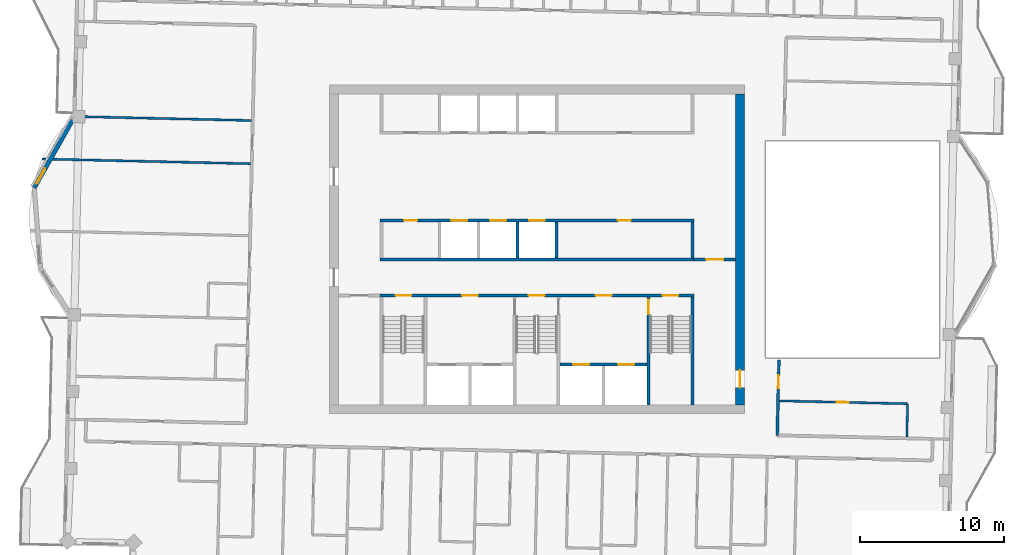
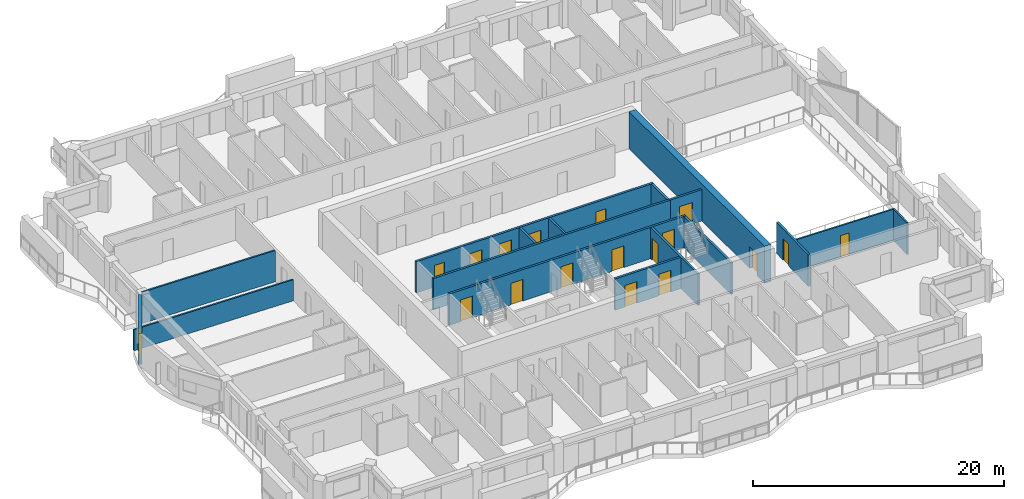
# One storey, part 7 of 15: 17 doors, 17 walls, 1 window, 18 openings.
"""IFC4 building model written with IfcOpenShell, lengths in metres."""

from ifc_helpers import new_model, si_unit, direction, frame, frame_2d, origin, place, context, subcontext, project, spatial, rectangle, extrude, material, layer, layer_set, type_object, element, fill, save


model = new_model("IFC4")

# Units and contexts
model_context = context("Model", 3, precision=1e-05, world=origin(), true_north=direction((0.0, 1.0)))
body_context = subcontext(model_context, "Body", "Model", "MODEL_VIEW")
ifc_project = project(units=[si_unit("LENGTHUNIT", "METRE"), si_unit("AREAUNIT", "SQUARE_METRE"), si_unit("VOLUMEUNIT", "CUBIC_METRE"), si_unit("PLANEANGLEUNIT", "RADIAN"), si_unit("MASSUNIT", "GRAM", prefix="KILO")], contexts=[model_context])

# Site, building, storey
site_placement = place(None, origin())
site = spatial("IfcSite", under=ifc_project, at=site_placement, CompositionType="ELEMENT")
building_placement = place(site_placement, origin())
building = spatial("IfcBuilding", under=site, at=building_placement, Name="Mangrove Gate Tower", CompositionType="ELEMENT")
storey_placement = place(building_placement, frame((0.0, 0.0, 316.89990234375)))
storey = spatial("IfcBuildingStorey", under=building, at=storey_placement, Name="L81", CompositionType="ELEMENT", Elevation=316.89990234375)

# Wall, opening, door
ifc_material_1 = material(Name="Concrete C32/40", Category="concrete")
ifc_layer_1 = layer(ifc_material_1, 0.199951171875)
ifc_layer_set_1 = layer_set([ifc_layer_1], Name="Core lobby wall 200 C32/40")
wall_type_1 = type_object("IfcWallType", Name="Core lobby wall 200 C32/40", PredefinedType="STANDARD", material=ifc_layer_set_1)
wall_1_placement = place(storey_placement, frame((10.89990234375, -0.699951171875, 0.0), z_axis=(0.0, 0.0, 1.0), x_axis=(1.0, 0.0, 0.0)))
wall_1 = element("IfcWall", 1, at=wall_1_placement, inside=storey, type_object=wall_type_1, Name="WALL-L81-CORE-32", PredefinedType="STANDARD", context=body_context, shape_type="SweptSolid", body=[
    extrude(rectangle(XDim=2.900146484375, YDim=0.199951171875, at=frame_2d((1.4501953125, 0.0))), origin(), (0.0, 0.0, 1.0), 3.050048828125),
])
opening_1_placement = place(wall_1_placement, frame((0.85009765625, 0.0, 0.0)))
opening_1 = element("IfcOpeningElement", 2, at=opening_1_placement, cuts=wall_1, Name="Opening FL12", PredefinedType="OPENING", context=body_context, shape_type="SweptSolid", body=[
    extrude(rectangle(XDim=1.199951171875, YDim=2.10009765625, at=frame_2d((0.60009765625, 1.050048828125))), frame((0.0, 0.10986328125, 0.0), z_axis=(0.0, -1.0, 0.0), x_axis=(1.0, 0.0, 0.0)), (0.0, 0.0, 1.0), 0.219970703125),
])
ifc_material_2 = material(Name="Fire-rated steel door set", Category="steel")
door_type_1 = type_object("IfcDoorType", Name="Lobby door FD60 1200x2100", OperationType="SINGLE_SWING_LEFT", PredefinedType="DOOR", material=ifc_material_2)
door_1_placement = place(opening_1_placement, origin())
door_1 = element("IfcDoor", 3, at=door_1_placement, inside=storey, type_object=door_type_1, Name="Lobby door core corridor E partition", OperationType="SINGLE_SWING_LEFT", OverallHeight=2.10009765625, OverallWidth=1.199951171875, PredefinedType="DOOR", context=body_context, shape_type="SweptSolid", body=[
    extrude(rectangle(XDim=1.199951171875, YDim=2.10009765625, at=frame_2d((0.60009765625, 1.050048828125))), frame((0.0, 0.02490234375, 0.0), z_axis=(0.0, -1.0, 0.0), x_axis=(1.0, 0.0, 0.0)), (0.0, 0.0, 1.0), 0.050048828125),
])
fill(opening_1, door_1)

# Walls
ifc_material_3 = material(Name="Concrete C32/40", Category="concrete")
ifc_layer_2 = layer(ifc_material_3, 0.199951171875)
ifc_layer_set_2 = layer_set([ifc_layer_2], Name="Core room wall 200 C32/40")
wall_type_2 = type_object("IfcWallType", Name="Core room wall 200 C32/40", PredefinedType="STANDARD", material=ifc_layer_set_2)
wall_2_placement = place(storey_placement, frame((10.800048828125, -0.60009765625, 0.0), z_axis=(0.0, 0.0, 1.0), x_axis=(0.0, 1.0, 0.0)))
element("IfcWall", 4, at=wall_2_placement, inside=storey, type_object=wall_type_2, Name="WALL-L81-CORE-24", PredefinedType="STANDARD", context=body_context, shape_type="SweptSolid", body=[
    extrude(rectangle(XDim=2.5, YDim=0.199951171875, at=frame_2d((1.25, 0.0))), origin(), (0.0, 0.0, 1.0), 3.050048828125),
])
ifc_material_4 = material(Name="Concrete C50/60", Category="concrete")
ifc_layer_3 = layer(ifc_material_4, 0.199951171875)
ifc_layer_set_3 = layer_set([ifc_layer_3], Name="Core shaft wall 200 C50/60")
wall_type_3 = type_object("IfcWallType", Name="Core shaft wall 200 C50/60", PredefinedType="SHEAR", material=ifc_layer_set_3)
wall_3_placement = place(storey_placement, frame((-10.89990234375, -0.699951171875, 0.0), z_axis=(0.0, 0.0, 1.0), x_axis=(1.0, 0.0, 0.0)))
element("IfcWall", 5, at=wall_3_placement, inside=storey, type_object=wall_type_3, Name="WALL-L81-CORE-6", PredefinedType="SHEAR", context=body_context, shape_type="SweptSolid", body=[
    extrude(rectangle(XDim=21.7998046875, YDim=0.199951171875, at=frame_2d((10.89990234375, 0.0))), origin(), (0.0, 0.0, 1.0), 3.050048828125),
])

# Wall, openings, doors
wall_4_placement = place(storey_placement, frame((-10.89990234375, 2.0, 0.0), z_axis=(0.0, 0.0, 1.0), x_axis=(1.0, 0.0, 0.0)))
wall_4 = element("IfcWall", 6, at=wall_4_placement, inside=storey, type_object=wall_type_3, Name="WALL-L81-CORE-7", PredefinedType="SHEAR", context=body_context, shape_type="SweptSolid", body=[
    extrude(rectangle(XDim=21.7998046875, YDim=0.199951171875, at=frame_2d((10.89990234375, 0.0))), origin(), (0.0, 0.0, 1.0), 3.050048828125),
])
opening_2_placement = place(wall_4_placement, frame((4.949951171875, 0.0, 0.0)))
opening_2 = element("IfcOpeningElement", 7, at=opening_2_placement, cuts=wall_4, Name="Opening LD", PredefinedType="OPENING", context=body_context, shape_type="SweptSolid", body=[
    extrude(rectangle(XDim=1.10009765625, YDim=2.10009765625, at=frame_2d((0.550048828125, 1.050048828125))), frame((0.0, 0.10986328125, 0.0), z_axis=(0.0, -1.0, 0.0), x_axis=(1.0, 0.0, 0.0)), (0.0, 0.0, 1.0), 0.219970703125),
])
opening_3_placement = place(wall_4_placement, frame((7.64990234375, 0.0, 0.0)))
opening_3 = element("IfcOpeningElement", 8, at=opening_3_placement, cuts=wall_4, Name="Opening LD", PredefinedType="OPENING", context=body_context, shape_type="SweptSolid", body=[
    extrude(rectangle(XDim=1.10009765625, YDim=2.10009765625, at=frame_2d((0.550048828125, 1.050048828125))), frame((0.0, 0.10986328125, 0.0), z_axis=(0.0, -1.0, 0.0), x_axis=(1.0, 0.0, 0.0)), (0.0, 0.0, 1.0), 0.219970703125),
])
opening_4_placement = place(wall_4_placement, frame((10.35009765625, 0.0, 0.0)))
opening_4 = element("IfcOpeningElement", 9, at=opening_4_placement, cuts=wall_4, Name="Opening LD", PredefinedType="OPENING", context=body_context, shape_type="SweptSolid", body=[
    extrude(rectangle(XDim=1.10009765625, YDim=2.10009765625, at=frame_2d((0.550048828125, 1.050048828125))), frame((0.0, 0.10986328125, 0.0), z_axis=(0.0, -1.0, 0.0), x_axis=(1.0, 0.0, 0.0)), (0.0, 0.0, 1.0), 0.219970703125),
])
opening_5_placement = place(wall_4_placement, frame((1.675048828125, 0.0, 0.0)))
opening_5 = element("IfcOpeningElement", 10, at=opening_5_placement, cuts=wall_4, Name="Opening KD", PredefinedType="OPENING", context=body_context, shape_type="SweptSolid", body=[
    extrude(rectangle(XDim=0.89990234375, YDim=2.10009765625, at=frame_2d((0.449951171875, 1.050048828125))), frame((0.0, 0.10986328125, 0.0), z_axis=(0.0, -1.0, 0.0), x_axis=(1.0, 0.0, 0.0)), (0.0, 0.0, 1.0), 0.219970703125),
])
opening_6_placement = place(wall_4_placement, frame((16.52490234375, 0.0, 0.0)))
opening_6 = element("IfcOpeningElement", 11, at=opening_6_placement, cuts=wall_4, Name="Opening RD", PredefinedType="OPENING", context=body_context, shape_type="SweptSolid", body=[
    extrude(rectangle(XDim=0.89990234375, YDim=2.10009765625, at=frame_2d((0.449951171875, 1.050048828125))), frame((0.0, 0.10986328125, 0.0), z_axis=(0.0, -1.0, 0.0), x_axis=(1.0, 0.0, 0.0)), (0.0, 0.0, 1.0), 0.219970703125),
])
ifc_material_5 = material(Name="Fire-rated steel door set", Category="steel")
door_type_2 = type_object("IfcDoorType", Name="Core room door FD30S 900x2100", OperationType="SINGLE_SWING_RIGHT", PredefinedType="DOOR", material=ifc_material_5)
door_2_placement = place(opening_5_placement, origin())
door_2 = element("IfcDoor", 12, at=door_2_placement, inside=storey, type_object=door_type_2, Name="Core room door Linen store", OperationType="SINGLE_SWING_RIGHT", OverallHeight=2.10009765625, OverallWidth=0.89990234375, PredefinedType="DOOR", context=body_context, shape_type="SweptSolid", body=[
    extrude(rectangle(XDim=0.89990234375, YDim=2.10009765625, at=frame_2d((0.449951171875, 1.050048828125))), frame((0.0, 0.02490234375, 0.0), z_axis=(0.0, -1.0, 0.0), x_axis=(1.0, 0.0, 0.0)), (0.0, 0.0, 1.0), 0.050048828125),
])
fill(opening_5, door_2)
ifc_material_6 = material(Name="Stainless steel 316", Category="steel")
door_type_3 = type_object("IfcDoorType", Name="Lift landing door 1100x2100", OperationType="SLIDING_TO_LEFT", PredefinedType="DOOR", material=ifc_material_6)
door_3_placement = place(opening_2_placement, origin())
door_3 = element("IfcDoor", 13, at=door_3_placement, inside=storey, type_object=door_type_3, Name="Landing door LD H01", OperationType="SLIDING_TO_LEFT", OverallHeight=2.10009765625, OverallWidth=1.10009765625, PredefinedType="DOOR", context=body_context, shape_type="SweptSolid", body=[
    extrude(rectangle(XDim=1.10009765625, YDim=2.10009765625, at=frame_2d((0.550048828125, 1.050048828125))), frame((0.0, 0.02490234375, 0.0), z_axis=(0.0, -1.0, 0.0), x_axis=(1.0, 0.0, 0.0)), (0.0, 0.0, 1.0), 0.050048828125),
])
fill(opening_2, door_3)
door_4_placement = place(opening_3_placement, origin())
door_4 = element("IfcDoor", 14, at=door_4_placement, inside=storey, type_object=door_type_3, Name="Landing door LD H02", OperationType="SLIDING_TO_LEFT", OverallHeight=2.10009765625, OverallWidth=1.10009765625, PredefinedType="DOOR", context=body_context, shape_type="SweptSolid", body=[
    extrude(rectangle(XDim=1.10009765625, YDim=2.10009765625, at=frame_2d((0.550048828125, 1.050048828125))), frame((0.0, 0.02490234375, 0.0), z_axis=(0.0, -1.0, 0.0), x_axis=(1.0, 0.0, 0.0)), (0.0, 0.0, 1.0), 0.050048828125),
])
fill(opening_3, door_4)
door_5_placement = place(opening_4_placement, origin())
door_5 = element("IfcDoor", 15, at=door_5_placement, inside=storey, type_object=door_type_3, Name="Landing door LD H03", OperationType="SLIDING_TO_LEFT", OverallHeight=2.10009765625, OverallWidth=1.10009765625, PredefinedType="DOOR", context=body_context, shape_type="SweptSolid", body=[
    extrude(rectangle(XDim=1.10009765625, YDim=2.10009765625, at=frame_2d((0.550048828125, 1.050048828125))), frame((0.0, 0.02490234375, 0.0), z_axis=(0.0, -1.0, 0.0), x_axis=(1.0, 0.0, 0.0)), (0.0, 0.0, 1.0), 0.050048828125),
])
fill(opening_4, door_5)
ifc_material_7 = material(Name="Fire-rated steel door set", Category="steel")
door_type_4 = type_object("IfcDoorType", Name="Riser door FD30S 900x2100", OperationType="SINGLE_SWING_LEFT", PredefinedType="DOOR", material=ifc_material_7)
door_6_placement = place(opening_6_placement, origin())
door_6 = element("IfcDoor", 16, at=door_6_placement, inside=storey, type_object=door_type_4, Name="Riser door Switch room", OperationType="SINGLE_SWING_LEFT", OverallHeight=2.10009765625, OverallWidth=0.89990234375, PredefinedType="DOOR", context=body_context, shape_type="SweptSolid", body=[
    extrude(rectangle(XDim=0.89990234375, YDim=2.10009765625, at=frame_2d((0.449951171875, 1.050048828125))), frame((0.0, 0.02490234375, 0.0), z_axis=(0.0, -1.0, 0.0), x_axis=(1.0, 0.0, 0.0)), (0.0, 0.0, 1.0), 0.050048828125),
])
fill(opening_6, door_6)

wall_5_placement = place(storey_placement, frame((1.60009765625, -8.0, 0.0), z_axis=(0.0, 0.0, 1.0), x_axis=(1.0, 0.0, 0.0)))
wall_5 = element("IfcWall", 17, at=wall_5_placement, inside=storey, type_object=wall_type_3, Name="WALL-L81-CORE-17", PredefinedType="SHEAR", context=body_context, shape_type="SweptSolid", body=[
    extrude(rectangle(XDim=6.0498046875, YDim=0.199951171875, at=frame_2d((3.02490234375, 0.0))), origin(), (0.0, 0.0, 1.0), 3.050048828125),
])
opening_7_placement = place(wall_5_placement, frame((0.91259765625, 0.0, 0.0)))
opening_7 = element("IfcOpeningElement", 18, at=opening_7_placement, cuts=wall_5, Name="Opening LD", PredefinedType="OPENING", context=body_context, shape_type="SweptSolid", body=[
    extrude(rectangle(XDim=1.10009765625, YDim=2.10009765625, at=frame_2d((0.550048828125, 1.050048828125))), frame((0.0, 0.10986328125, 0.0), z_axis=(0.0, -1.0, 0.0), x_axis=(1.0, 0.0, 0.0)), (0.0, 0.0, 1.0), 0.219970703125),
])
opening_8_placement = place(wall_5_placement, frame((4.03759765625, 0.0, 0.0)))
opening_8 = element("IfcOpeningElement", 19, at=opening_8_placement, cuts=wall_5, Name="Opening LD", PredefinedType="OPENING", context=body_context, shape_type="SweptSolid", body=[
    extrude(rectangle(XDim=1.10009765625, YDim=2.10009765625, at=frame_2d((0.550048828125, 1.050048828125))), frame((0.0, 0.10986328125, 0.0), z_axis=(0.0, -1.0, 0.0), x_axis=(1.0, 0.0, 0.0)), (0.0, 0.0, 1.0), 0.219970703125),
])
door_7_placement = place(opening_7_placement, origin())
door_7 = element("IfcDoor", 20, at=door_7_placement, inside=storey, type_object=door_type_3, Name="Landing door LD FFL1", OperationType="SLIDING_TO_LEFT", OverallHeight=2.10009765625, OverallWidth=1.10009765625, PredefinedType="DOOR", context=body_context, shape_type="SweptSolid", body=[
    extrude(rectangle(XDim=1.10009765625, YDim=2.10009765625, at=frame_2d((0.550048828125, 1.050048828125))), frame((0.0, 0.02490234375, 0.0), z_axis=(0.0, -1.0, 0.0), x_axis=(1.0, 0.0, 0.0)), (0.0, 0.0, 1.0), 0.050048828125),
])
fill(opening_7, door_7)
door_8_placement = place(opening_8_placement, origin())
door_8 = element("IfcDoor", 21, at=door_8_placement, inside=storey, type_object=door_type_3, Name="Landing door LD FFL2", OperationType="SLIDING_TO_LEFT", OverallHeight=2.10009765625, OverallWidth=1.10009765625, PredefinedType="DOOR", context=body_context, shape_type="SweptSolid", body=[
    extrude(rectangle(XDim=1.10009765625, YDim=2.10009765625, at=frame_2d((0.550048828125, 1.050048828125))), frame((0.0, 0.02490234375, 0.0), z_axis=(0.0, -1.0, 0.0), x_axis=(1.0, 0.0, 0.0)), (0.0, 0.0, 1.0), 0.050048828125),
])
fill(opening_8, door_8)

# Walls
for number, where, z_axis, x_axis, name in (
    (22, (-1.35009765625, -0.60009765625, 0.0), (0.0, 0.0, 1.0), (0.0, 1.0, 0.0), "WALL-L81-CORE-22"),
    (23, (1.35009765625, -0.60009765625, 0.0), (0.0, 0.0, 1.0), (0.0, 1.0, 0.0), "WALL-L81-CORE-23"),
):
    element("IfcWall", number, at=place(storey_placement, frame(where, z_axis=z_axis, x_axis=x_axis)), inside=storey, type_object=wall_type_3, Name=name, PredefinedType="SHEAR", context=body_context, shape_type="SweptSolid", body=[
        extrude(rectangle(XDim=2.5, YDim=0.199951171875, at=frame_2d((1.25, 0.0))), origin(), (0.0, 0.0, 1.0), 3.050048828125),
    ])

# Wall, openings, doors
ifc_material_8 = material(Name="Concrete C50/60", Category="concrete")
ifc_layer_4 = layer(ifc_material_8, 0.199951171875)
ifc_layer_set_4 = layer_set([ifc_layer_4], Name="Core stair wall 200 C50/60")
wall_type_4 = type_object("IfcWallType", Name="Core stair wall 200 C50/60", PredefinedType="SHEAR", material=ifc_layer_set_4)
wall_6_placement = place(storey_placement, frame((-10.89990234375, -3.199951171875, 0.0), z_axis=(0.0, 0.0, 1.0), x_axis=(1.0, 0.0, 0.0)))
wall_6 = element("IfcWall", 24, at=wall_6_placement, inside=storey, type_object=wall_type_4, Name="WALL-L81-CORE-5", PredefinedType="SHEAR", context=body_context, shape_type="SweptSolid", body=[
    extrude(rectangle(XDim=21.7998046875, YDim=0.199951171875, at=frame_2d((10.89990234375, 0.0))), origin(), (0.0, 0.0, 1.0), 3.050048828125),
])
opening_9_placement = place(wall_6_placement, frame((1.074951171875, 0.0, 0.0)))
opening_9 = element("IfcOpeningElement", 25, at=opening_9_placement, cuts=wall_6, Name="Opening STD11", PredefinedType="OPENING", context=body_context, shape_type="SweptSolid", body=[
    extrude(rectangle(XDim=1.10009765625, YDim=2.10009765625, at=frame_2d((0.550048828125, 1.050048828125))), frame((0.0, 0.10986328125, 0.0), z_axis=(0.0, -1.0, 0.0), x_axis=(1.0, 0.0, 0.0)), (0.0, 0.0, 1.0), 0.219970703125),
])
opening_10_placement = place(wall_6_placement, frame((10.324951171875, 0.0, 0.0)))
opening_10 = element("IfcOpeningElement", 26, at=opening_10_placement, cuts=wall_6, Name="Opening STD11", PredefinedType="OPENING", context=body_context, shape_type="SweptSolid", body=[
    extrude(rectangle(XDim=1.10009765625, YDim=2.10009765625, at=frame_2d((0.550048828125, 1.050048828125))), frame((0.0, 0.10986328125, 0.0), z_axis=(0.0, -1.0, 0.0), x_axis=(1.0, 0.0, 0.0)), (0.0, 0.0, 1.0), 0.219970703125),
])
opening_11_placement = place(wall_6_placement, frame((19.625, 0.0, 0.0)))
opening_11 = element("IfcOpeningElement", 27, at=opening_11_placement, cuts=wall_6, Name="Opening STD11", PredefinedType="OPENING", context=body_context, shape_type="SweptSolid", body=[
    extrude(rectangle(XDim=1.10009765625, YDim=2.10009765625, at=frame_2d((0.550048828125, 1.050048828125))), frame((0.0, 0.10986328125, 0.0), z_axis=(0.0, -1.0, 0.0), x_axis=(1.0, 0.0, 0.0)), (0.0, 0.0, 1.0), 0.219970703125),
])
opening_12_placement = place(wall_6_placement, frame((5.699951171875, 0.0, 0.0)))
opening_12 = element("IfcOpeningElement", 28, at=opening_12_placement, cuts=wall_6, Name="Opening FL", PredefinedType="OPENING", context=body_context, shape_type="SweptSolid", body=[
    extrude(rectangle(XDim=1.10009765625, YDim=2.10009765625, at=frame_2d((0.550048828125, 1.050048828125))), frame((0.0, 0.10986328125, 0.0), z_axis=(0.0, -1.0, 0.0), x_axis=(1.0, 0.0, 0.0)), (0.0, 0.0, 1.0), 0.219970703125),
])
opening_13_placement = place(wall_6_placement, frame((14.97509765625, 0.0, 0.0)))
opening_13 = element("IfcOpeningElement", 29, at=opening_13_placement, cuts=wall_6, Name="Opening FL", PredefinedType="OPENING", context=body_context, shape_type="SweptSolid", body=[
    extrude(rectangle(XDim=1.10009765625, YDim=2.10009765625, at=frame_2d((0.550048828125, 1.050048828125))), frame((0.0, 0.10986328125, 0.0), z_axis=(0.0, -1.0, 0.0), x_axis=(1.0, 0.0, 0.0)), (0.0, 0.0, 1.0), 0.219970703125),
])
ifc_material_9 = material(Name="Fire-rated steel door set", Category="steel")
door_type_5 = type_object("IfcDoorType", Name="Lobby door FD60 1100x2100", OperationType="SINGLE_SWING_LEFT", PredefinedType="DOOR", material=ifc_material_9)
door_9_placement = place(opening_12_placement, origin())
door_9 = element("IfcDoor", 30, at=door_9_placement, inside=storey, type_object=door_type_5, Name="Lobby door service lobby", OperationType="SINGLE_SWING_LEFT", OverallHeight=2.10009765625, OverallWidth=1.10009765625, PredefinedType="DOOR", context=body_context, shape_type="SweptSolid", body=[
    extrude(rectangle(XDim=1.10009765625, YDim=2.10009765625, at=frame_2d((0.550048828125, 1.050048828125))), frame((0.0, 0.02490234375, 0.0), z_axis=(0.0, -1.0, 0.0), x_axis=(1.0, 0.0, 0.0)), (0.0, 0.0, 1.0), 0.050048828125),
])
fill(opening_12, door_9)
door_10_placement = place(opening_13_placement, origin())
door_10 = element("IfcDoor", 31, at=door_10_placement, inside=storey, type_object=door_type_5, Name="Lobby door fire-fighting lobby", OperationType="SINGLE_SWING_LEFT", OverallHeight=2.10009765625, OverallWidth=1.10009765625, PredefinedType="DOOR", context=body_context, shape_type="SweptSolid", body=[
    extrude(rectangle(XDim=1.10009765625, YDim=2.10009765625, at=frame_2d((0.550048828125, 1.050048828125))), frame((0.0, 0.02490234375, 0.0), z_axis=(0.0, -1.0, 0.0), x_axis=(1.0, 0.0, 0.0)), (0.0, 0.0, 1.0), 0.050048828125),
])
fill(opening_13, door_10)
ifc_material_10 = material(Name="Fire-rated steel door set", Category="steel")
door_type_6 = type_object("IfcDoorType", Name="Stair door FD60 1100x2100", OperationType="SINGLE_SWING_RIGHT", PredefinedType="DOOR", material=ifc_material_10)
door_11_placement = place(opening_9_placement, origin())
door_11 = element("IfcDoor", 32, at=door_11_placement, inside=storey, type_object=door_type_6, Name="Stair door Stair 1", OperationType="SINGLE_SWING_RIGHT", OverallHeight=2.10009765625, OverallWidth=1.10009765625, PredefinedType="DOOR", context=body_context, shape_type="SweptSolid", body=[
    extrude(rectangle(XDim=1.10009765625, YDim=2.10009765625, at=frame_2d((0.550048828125, 1.050048828125))), frame((0.0, 0.02490234375, 0.0), z_axis=(0.0, -1.0, 0.0), x_axis=(1.0, 0.0, 0.0)), (0.0, 0.0, 1.0), 0.050048828125),
])
fill(opening_9, door_11)
door_12_placement = place(opening_10_placement, origin())
door_12 = element("IfcDoor", 33, at=door_12_placement, inside=storey, type_object=door_type_6, Name="Stair door Stair 2", OperationType="SINGLE_SWING_RIGHT", OverallHeight=2.10009765625, OverallWidth=1.10009765625, PredefinedType="DOOR", context=body_context, shape_type="SweptSolid", body=[
    extrude(rectangle(XDim=1.10009765625, YDim=2.10009765625, at=frame_2d((0.550048828125, 1.050048828125))), frame((0.0, 0.02490234375, 0.0), z_axis=(0.0, -1.0, 0.0), x_axis=(1.0, 0.0, 0.0)), (0.0, 0.0, 1.0), 0.050048828125),
])
fill(opening_10, door_12)
door_13_placement = place(opening_11_placement, origin())
door_13 = element("IfcDoor", 34, at=door_13_placement, inside=storey, type_object=door_type_6, Name="Stair door Stair 3", OperationType="SINGLE_SWING_RIGHT", OverallHeight=2.10009765625, OverallWidth=1.10009765625, PredefinedType="DOOR", context=body_context, shape_type="SweptSolid", body=[
    extrude(rectangle(XDim=1.10009765625, YDim=2.10009765625, at=frame_2d((0.550048828125, 1.050048828125))), frame((0.0, 0.02490234375, 0.0), z_axis=(0.0, -1.0, 0.0), x_axis=(1.0, 0.0, 0.0)), (0.0, 0.0, 1.0), 0.050048828125),
])
fill(opening_11, door_13)

# Wall, opening, door
wall_7_placement = place(storey_placement, frame((7.75, -10.800048828125, 0.0), z_axis=(0.0, 0.0, 1.0), x_axis=(0.0, 1.0, 0.0)))
wall_7 = element("IfcWall", 35, at=wall_7_placement, inside=storey, type_object=wall_type_4, Name="WALL-L81-CORE-13", PredefinedType="SHEAR", context=body_context, shape_type="SweptSolid", body=[
    extrude(rectangle(XDim=7.5, YDim=0.199951171875, at=frame_2d((3.75, 0.0))), origin(), (0.0, 0.0, 1.0), 3.050048828125),
])
opening_14_placement = place(wall_7_placement, frame((6.300048828125, 0.0, 0.0)))
opening_14 = element("IfcOpeningElement", 36, at=opening_14_placement, cuts=wall_7, Name="Opening STD10", PredefinedType="OPENING", context=body_context, shape_type="SweptSolid", body=[
    extrude(rectangle(XDim=1.0, YDim=2.10009765625, at=frame_2d((0.5, 1.050048828125))), frame((0.0, 0.10986328125, 0.0), z_axis=(0.0, -1.0, 0.0), x_axis=(1.0, 0.0, 0.0)), (0.0, 0.0, 1.0), 0.219970703125),
])
ifc_material_11 = material(Name="Fire-rated steel door set", Category="steel")
door_type_7 = type_object("IfcDoorType", Name="Stair door FD60 1000x2100", OperationType="SINGLE_SWING_RIGHT", PredefinedType="DOOR", material=ifc_material_11)
door_14_placement = place(opening_14_placement, origin())
door_14 = element("IfcDoor", 37, at=door_14_placement, inside=storey, type_object=door_type_7, Name="Stair door Stair 3 from fire-fighting lobby", OperationType="SINGLE_SWING_RIGHT", OverallHeight=2.10009765625, OverallWidth=1.0, PredefinedType="DOOR", context=body_context, shape_type="SweptSolid", body=[
    extrude(rectangle(XDim=1.0, YDim=2.10009765625, at=frame_2d((0.5, 1.050048828125))), frame((0.0, 0.02490234375, 0.0), z_axis=(0.0, -1.0, 0.0), x_axis=(1.0, 0.0, 0.0)), (0.0, 0.0, 1.0), 0.050048828125),
])
fill(opening_14, door_14)

# Wall
wall_8_placement = place(storey_placement, frame((10.800048828125, -10.800048828125, 0.0), z_axis=(0.0, 0.0, 1.0), x_axis=(0.0, 1.0, 0.0)))
element("IfcWall", 38, at=wall_8_placement, inside=storey, type_object=wall_type_4, Name="WALL-L81-CORE-14", PredefinedType="SHEAR", context=body_context, shape_type="SweptSolid", body=[
    extrude(rectangle(XDim=7.5, YDim=0.199951171875, at=frame_2d((3.75, 0.0))), origin(), (0.0, 0.0, 1.0), 3.050048828125),
])

# Wall, opening, door
ifc_material_12 = material(Name="Concrete C50/60", Category="concrete")
ifc_layer_5 = layer(ifc_material_12, 0.60009765625)
ifc_layer_set_5 = layer_set([ifc_layer_5], Name="Core wall 600 C50/60")
wall_type_5 = type_object("IfcWallType", Name="Core wall 600 C50/60", PredefinedType="SHEAR", material=ifc_layer_set_5)
wall_9_placement = place(storey_placement, frame((14.10009765625, -10.800048828125, 0.0), z_axis=(0.0, 0.0, 1.0), x_axis=(0.0, 1.0, 0.0)))
wall_9 = element("IfcWall", 39, at=wall_9_placement, inside=storey, type_object=wall_type_5, Name="WALL-L81-CORE-4", PredefinedType="SHEAR", context=body_context, shape_type="SweptSolid", body=[
    extrude(rectangle(XDim=21.60009765625, YDim=0.60009765625, at=frame_2d((10.800048828125, 0.0))), origin(), (0.0, 0.0, 1.0), 3.60009765625),
])
opening_15_placement = place(wall_9_placement, frame((1.199951171875, 0.0, 0.0)))
opening_15 = element("IfcOpeningElement", 40, at=opening_15_placement, cuts=wall_9, Name="Opening CD", PredefinedType="OPENING", context=body_context, shape_type="SweptSolid", body=[
    extrude(rectangle(XDim=1.199951171875, YDim=2.10009765625, at=frame_2d((0.60009765625, 1.050048828125))), frame((0.0, 0.31005859375, 0.0), z_axis=(0.0, -1.0, 0.0), x_axis=(1.0, 0.0, 0.0)), (0.0, 0.0, 1.0), 0.6201171875),
])
ifc_material_13 = material(Name="Fire-rated steel door set", Category="steel")
door_type_8 = type_object("IfcDoorType", Name="Core ring door FD60 1200x2100", OperationType="DOUBLE_DOOR_SINGLE_SWING", PredefinedType="DOOR", material=ifc_material_13)
door_15_placement = place(opening_15_placement, origin())
door_15 = element("IfcDoor", 41, at=door_15_placement, inside=storey, type_object=door_type_8, Name="Core ring door E1", OperationType="DOUBLE_DOOR_SINGLE_SWING", OverallHeight=2.10009765625, OverallWidth=1.199951171875, PredefinedType="DOOR", context=body_context, shape_type="SweptSolid", body=[
    extrude(rectangle(XDim=1.199951171875, YDim=2.10009765625, at=frame_2d((0.60009765625, 1.050048828125))), frame((0.0, 0.02490234375, 0.0), z_axis=(0.0, -1.0, 0.0), x_axis=(1.0, 0.0, 0.0)), (0.0, 0.0, 1.0), 0.050048828125),
])
fill(opening_15, door_15)

ifc_material_14 = material(Name="Gypsum board on steel stud, EI 60", Category="steel")
ifc_layer_6 = layer(ifc_material_14, 0.199951171875)
ifc_layer_set_6 = layer_set([ifc_layer_6], Name="Corridor wall EI 60")
wall_type_6 = type_object("IfcWallType", Name="Corridor wall EI 60", PredefinedType="PARTITIONING", material=ifc_layer_set_6)
wall_10_placement = place(storey_placement, frame((16.68408203125, -12.9189453125, 0.0), z_axis=(0.0, 0.0, 1.0), x_axis=(0.022667483124, 0.999743059595, 0.0)))
wall_10 = element("IfcWall", 42, at=wall_10_placement, inside=storey, type_object=wall_type_6, Name="WALL-L81-038", PredefinedType="PARTITIONING", context=body_context, shape_type="SweptSolid", body=[
    extrude(rectangle(XDim=5.245361328125, YDim=0.199951171875, at=frame_2d((2.62255859375, 0.0))), origin(), (0.0, 0.0, 1.0), 3.050048828125),
])
opening_16_placement = place(wall_10_placement, frame((3.27001953125, 0.0, 0.0)))
opening_16 = element("IfcOpeningElement", 43, at=opening_16_placement, cuts=wall_10, Name="Opening BD", PredefinedType="OPENING", context=body_context, shape_type="SweptSolid", body=[
    extrude(rectangle(XDim=0.89990234375, YDim=2.10009765625, at=frame_2d((0.449951171875, 1.050048828125))), frame((0.0, 0.10986328125, 0.0), z_axis=(0.0, -1.0, 0.0), x_axis=(1.0, 0.0, 0.0)), (0.0, 0.0, 1.0), 0.219970703125),
])
ifc_material_15 = material(Name="Timber door leaf", Category="wood")
door_type_9 = type_object("IfcDoorType", Name="Bedroom door 900", OperationType="SINGLE_SWING_LEFT", PredefinedType="DOOR", material=ifc_material_15)
door_16_placement = place(opening_16_placement, origin())
door_16 = element("IfcDoor", 44, at=door_16_placement, inside=storey, type_object=door_type_9, Name="DOOR-L81-BED-c310", OperationType="SINGLE_SWING_RIGHT", OverallHeight=2.10009765625, OverallWidth=0.89990234375, PredefinedType="DOOR", context=body_context, shape_type="SweptSolid", body=[
    extrude(rectangle(XDim=0.89990234375, YDim=2.10009765625, at=frame_2d((0.449951171875, 1.050048828125))), frame((0.0, 0.02490234375, 0.0), z_axis=(0.0, -1.0, 0.0), x_axis=(1.0, 0.0, 0.0)), (0.0, 0.0, 1.0), 0.050048828125),
])
fill(opening_16, door_16)

# Wall, opening, window
ifc_material_16 = material(Name="Limestone", Category="masonry")
ifc_layer_7 = layer(ifc_material_16, 0.0400390625, Name="Limestone cladding")
ifc_material_17 = material(Name="Ventilated air gap")
ifc_layer_8 = layer(ifc_material_17, 0.0400390625, Name="Ventilated cavity")
ifc_material_18 = material(Name="Mineral wool insulation")
ifc_layer_9 = layer(ifc_material_18, 0.06005859375, Name="Insulation")
ifc_material_19 = material(Name="Breather membrane")
ifc_layer_10 = layer(ifc_material_19, 0.001953125, Name="Breather membrane")
ifc_material_20 = material(Name="Concrete C20/25 blockwork", Category="masonry")
ifc_layer_11 = layer(ifc_material_20, 0.14990234375, Name="Blockwork backing wall")
ifc_material_21 = material(Name="Gypsum plaster")
ifc_layer_12 = layer(ifc_material_21, 0.008056640625, Name="Internal plaster")
ifc_layer_set_7 = layer_set([ifc_layer_7, ifc_layer_8, ifc_layer_9, ifc_layer_10, ifc_layer_11, ifc_layer_12], Name="External wall 300 limestone cladding")
wall_type_7 = type_object("IfcWallType", Name="External wall 300 limestone cladding", PredefinedType="SOLIDWALL", material=ifc_layer_set_7)
wall_11_placement = place(storey_placement, frame((-32.251953125, 8.97802734375, 0.0), z_axis=(0.0, 0.0, 1.0), x_axis=(-0.492554919955, -0.870281363025, 0.0)))
wall_11 = element("IfcWall", 45, at=wall_11_placement, inside=storey, type_object=wall_type_7, Name="WALL-L81-W9f1", PredefinedType="SOLIDWALL", context=body_context, shape_type="SweptSolid", body=[
    extrude(rectangle(XDim=5.398193359375, YDim=0.300048828125, at=frame_2d((2.69921875, 0.0))), origin(), (0.0, 0.0, 1.0), 3.050048828125),
])
opening_17_placement = place(wall_11_placement, frame((3.881103515625, 0.0, 0.89990234375)))
opening_17 = element("IfcOpeningElement", 46, at=opening_17_placement, cuts=wall_11, Name="Opening W1", PredefinedType="OPENING", context=body_context, shape_type="SweptSolid", body=[
    extrude(rectangle(XDim=1.199951171875, YDim=1.5, at=frame_2d((0.60009765625, 0.75))), frame((0.0, 0.159912109375, 0.0), z_axis=(0.0, -1.0, 0.0), x_axis=(1.0, 0.0, 0.0)), (0.0, 0.0, 1.0), 0.320068359375),
])
ifc_material_22 = material(Name="Aluminium frame with double-glazed low-e glass", Category="aluminium")
window_type = type_object("IfcWindowType", Name="Side lite 1200x1500", PartitioningType="SINGLE_PANEL", PredefinedType="WINDOW", material=ifc_material_22)
window_placement = place(opening_17_placement, origin())
window = element("IfcWindow", 47, at=window_placement, inside=storey, type_object=window_type, Name="WIN-L81-W9f1", OverallHeight=1.5, OverallWidth=1.199951171875, PartitioningType="SINGLE_PANEL", PredefinedType="WINDOW", context=body_context, shape_type="SweptSolid", body=[
    extrude(rectangle(XDim=1.199951171875, YDim=1.5, at=frame_2d((0.60009765625, 0.75))), frame((0.0, 0.030029296875, 0.0), z_axis=(0.0, -1.0, 0.0), x_axis=(1.0, 0.0, 0.0)), (0.0, 0.0, 1.0), 0.06005859375),
])
fill(opening_17, window)

# Wall
ifc_material_23 = material(Name="Gypsum board on steel stud, EI 60", Category="steel")
ifc_layer_13 = layer(ifc_material_23, 0.14990234375)
ifc_layer_set_8 = layer_set([ifc_layer_13], Name="Party wall 150 EI 60")
wall_type_8 = type_object("IfcWallType", Name="Party wall 150 EI 60", PredefinedType="PARTITIONING", material=ifc_layer_set_8)
wall_12_placement = place(storey_placement, frame((25.68408203125, -13.02294921875, 0.0), z_axis=(0.0, 0.0, 1.0), x_axis=(0.022603288534, 0.999744513037, 0.0)))
element("IfcWall", 48, at=wall_12_placement, inside=storey, type_object=wall_type_8, Name="WALL-L81-039", PredefinedType="PARTITIONING", context=body_context, shape_type="SweptSolid", body=[
    extrude(rectangle(XDim=2.300537109375, YDim=0.14990234375, at=frame_2d((1.150390625, 0.0))), origin(), (0.0, 0.0, 1.0), 3.050048828125),
])

# Wall, opening, door
wall_13_placement = place(storey_placement, frame((16.833984375, -10.52099609375, 0.0), z_axis=(0.0, 0.0, 1.0), x_axis=(0.999742599783, -0.022687753966, 0.0)))
wall_13 = element("IfcWall", 49, at=wall_13_placement, inside=storey, type_object=wall_type_8, Name="WALL-L81-041", PredefinedType="PARTITIONING", context=body_context, shape_type="SweptSolid", body=[
    extrude(rectangle(XDim=8.899169921875, YDim=0.14990234375, at=frame_2d((4.44970703125, 0.0))), origin(), (0.0, 0.0, 1.0), 3.050048828125),
])
opening_18_placement = place(wall_13_placement, frame((4.0, 0.0, 0.0)))
opening_18 = element("IfcOpeningElement", 50, at=opening_18_placement, cuts=wall_13, Name="Opening ED", PredefinedType="OPENING", context=body_context, shape_type="SweptSolid", body=[
    extrude(rectangle(XDim=0.800048828125, YDim=2.10009765625, at=frame_2d((0.39990234375, 1.050048828125))), frame((0.0, 0.0849609375, 0.0), z_axis=(0.0, -1.0, 0.0), x_axis=(1.0, 0.0, 0.0)), (0.0, 0.0, 1.0), 0.169921875),
])
ifc_material_24 = material(Name="Timber door leaf", Category="wood")
door_type_10 = type_object("IfcDoorType", Name="En-suite door 800", OperationType="SINGLE_SWING_LEFT", PredefinedType="DOOR", material=ifc_material_24)
door_17_placement = place(opening_18_placement, origin())
door_17 = element("IfcDoor", 51, at=door_17_placement, inside=storey, type_object=door_type_10, Name="DOOR-L81-ENS-c310", OperationType="SINGLE_SWING_RIGHT", OverallHeight=2.10009765625, OverallWidth=0.800048828125, PredefinedType="DOOR", context=body_context, shape_type="SweptSolid", body=[
    extrude(rectangle(XDim=0.800048828125, YDim=2.10009765625, at=frame_2d((0.39990234375, 1.050048828125))), frame((0.0, 0.02490234375, 0.0), z_axis=(0.0, -1.0, 0.0), x_axis=(1.0, 0.0, 0.0)), (0.0, 0.0, 1.0), 0.050048828125),
])
fill(opening_18, door_17)

# Walls
wall_14_placement = place(storey_placement, frame((-34.37109375, 6.27490234375, 0.0), z_axis=(0.0, 0.0, 1.0), x_axis=(0.999741635135, -0.022730221665, 0.0)))
element("IfcWall", 52, at=wall_14_placement, inside=storey, type_object=wall_type_8, Name="WALL-L81-049", PredefinedType="PARTITIONING", context=body_context, shape_type="SweptSolid", body=[
    extrude(rectangle(XDim=14.4677734375, YDim=0.14990234375, at=frame_2d((7.23388671875, 0.0))), origin(), (0.0, 0.0, 1.0), 2.050048828125),
])
wall_15_placement = place(storey_placement, frame((-31.93603515625, 9.219970703125, 0.0), z_axis=(0.0, 0.0, 1.0), x_axis=(0.9997437175, -0.02263844782, 0.0)))
element("IfcWall", 53, at=wall_15_placement, inside=storey, type_object=wall_type_8, Name="WALL-L81-051", PredefinedType="PARTITIONING", context=body_context, shape_type="SweptSolid", body=[
    extrude(rectangle(XDim=12.10009765625, YDim=0.14990234375, at=frame_2d((6.050048828125, 0.0))), origin(), (0.0, 0.0, 1.0), 3.050048828125),
])

save(model, "model.ifc")
